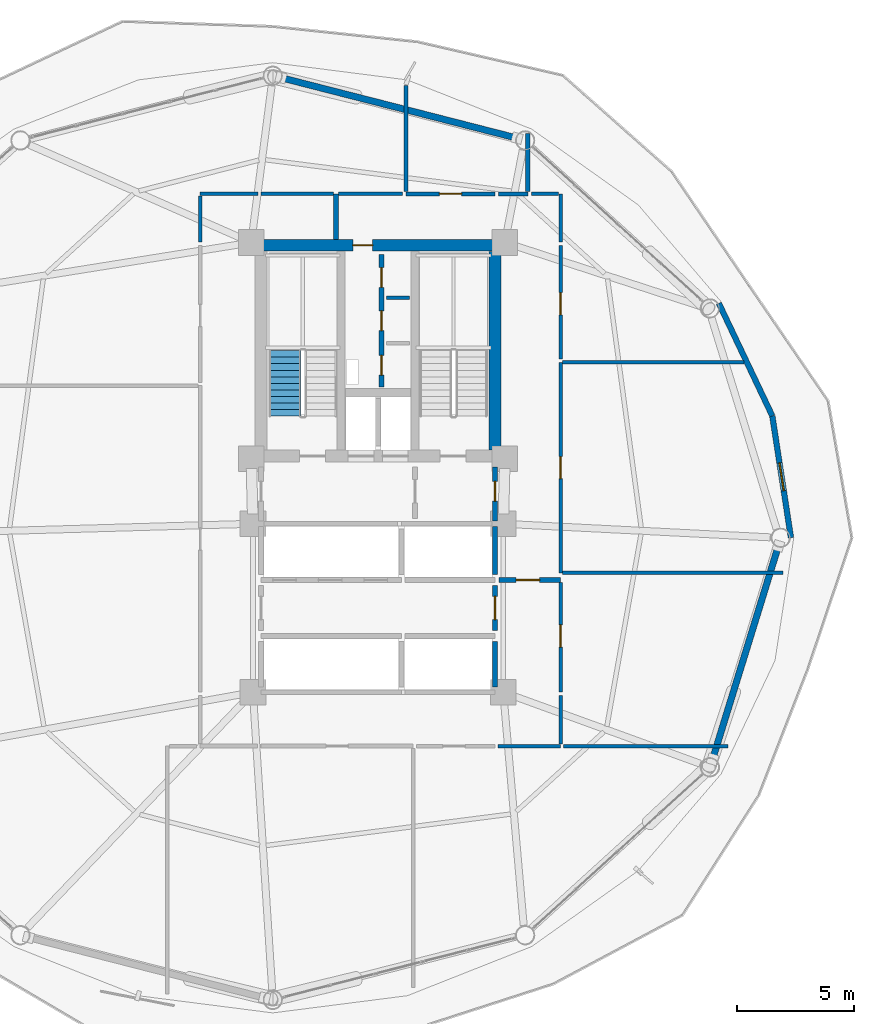
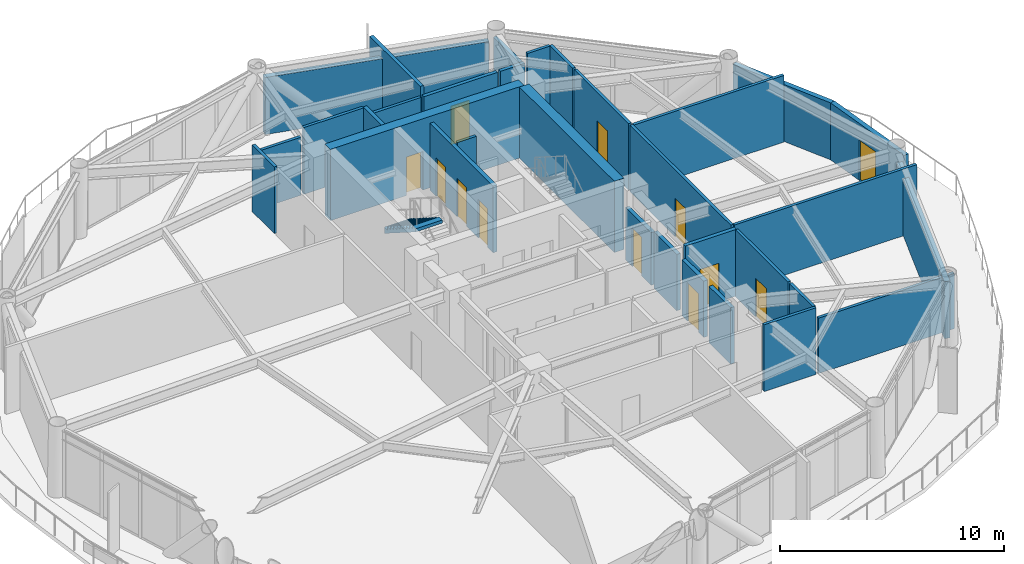
# One storey, part 22 of 26: 32 walls, 12 doors, 1 stair flight, 12 openings, 1 element without a shape of its own.
"""IFC4 building model written with IfcOpenShell, lengths in metres."""

from ifc_helpers import new_model, si_unit, direction, frame, frame_2d, origin, place, context, subcontext, project, spatial, polyline, rectangle, outline, extrude, material, layer, layer_set, type_object, element, fill, aggregate, save


model = new_model("IFC4")

# Units and contexts
model_context = context("Model", 3, precision=1e-05, world=origin(), true_north=direction((0.0, 1.0)))
body_context = subcontext(model_context, "Body", "Model", "MODEL_VIEW")
ifc_project = project(units=[si_unit("LENGTHUNIT", "METRE"), si_unit("AREAUNIT", "SQUARE_METRE"), si_unit("VOLUMEUNIT", "CUBIC_METRE"), si_unit("PLANEANGLEUNIT", "RADIAN"), si_unit("MASSUNIT", "GRAM", prefix="KILO")], contexts=[model_context])

# Site, building, storey
site_placement = place(None, origin())
site = spatial("IfcSite", under=ifc_project, at=site_placement, CompositionType="ELEMENT")
building_placement = place(site_placement, origin())
building = spatial("IfcBuilding", under=site, at=building_placement, Name="Varnakorn Sky Granary", CompositionType="ELEMENT")
storey_placement = place(building_placement, frame((0.0, 0.0, 95.39990234375)))
storey = spatial("IfcBuildingStorey", under=building, at=storey_placement, Name="L23", CompositionType="ELEMENT", Elevation=95.39990234375)

# Wall, opening, door
ifc_material_1 = material(Name="Concrete C60/75", Category="concrete")
ifc_layer_1 = layer(ifc_material_1, 0.5, Name="Concrete C60/75")
ifc_layer_set_1 = layer_set([ifc_layer_1], Name="Concrete C60/75")
wall_type_1 = type_object("IfcWallType", Name="WT-CW-SHEAR-500", PredefinedType="SHEAR", material=ifc_layer_set_1)
wall_1_placement = place(storey_placement, frame((-2.0, 12.5, 0.0), z_axis=(0.0, 0.0, 1.0), x_axis=(1.0, 0.0, 0.0)))
wall_1 = element("IfcWall", 1, at=wall_1_placement, inside=storey, type_object=wall_type_1, Name="Core North Shear Wall L23", PredefinedType="SHEAR", context=body_context, shape_type="SweptSolid", body=[
    extrude(rectangle(XDim=10.0, YDim=0.5, at=frame_2d((5.0, 0.0))), origin(), (0.0, 0.0, 1.0), 3.89208984375),
])
opening_1_placement = place(wall_1_placement, frame((3.919921875, 0.0, 0.0)))
opening_1 = element("IfcOpeningElement", 2, at=opening_1_placement, cuts=wall_1, Name="Opening FD-60N", PredefinedType="OPENING", context=body_context, shape_type="SweptSolid", body=[
    extrude(rectangle(XDim=0.85009765625, YDim=2.10009765625, at=frame_2d((0.425048828125, 1.050048828125))), frame((0.0, 0.260009765625, 0.0), z_axis=(0.0, -1.0, 0.0), x_axis=(1.0, 0.0, 0.0)), (0.0, 0.0, 1.0), 0.52001953125),
])
ifc_material_2 = material(Name="Acoustic Timber Fire Leaf", Category="wood")
door_type_1 = type_object("IfcDoorType", Name="DR-FD60-850", OperationType="NOTDEFINED", PredefinedType="DOOR", material=ifc_material_2)
door_1_placement = place(opening_1_placement, origin())
door_1 = element("IfcDoor", 3, at=door_1_placement, inside=storey, type_object=door_type_1, Name="Core North Service Door L23", OperationType="SINGLE_SWING_LEFT", OverallHeight=2.10009765625, OverallWidth=0.85009765625, PredefinedType="DOOR", context=body_context, shape_type="SweptSolid", body=[
    extrude(rectangle(XDim=0.85009765625, YDim=2.10009765625, at=frame_2d((0.425048828125, 1.050048828125))), frame((0.0, 0.02490234375, 0.0), z_axis=(0.0, -1.0, 0.0), x_axis=(1.0, 0.0, 0.0)), (0.0, 0.0, 1.0), 0.050048828125),
])
fill(opening_1, door_1)

# Wall
wall_2_placement = place(storey_placement, frame((8.0, 3.760009765625, 0.0), z_axis=(0.0, 0.0, 1.0), x_axis=(0.0, 1.0, 0.0)))
element("IfcWall", 4, at=wall_2_placement, inside=storey, type_object=wall_type_1, Name="Core East Shear Wall L23", PredefinedType="SHEAR", context=body_context, shape_type="SweptSolid", body=[
    extrude(rectangle(XDim=8.47998046875, YDim=0.5, at=frame_2d((4.239990234375, 0.0))), origin(), (0.0, 0.0, 1.0), 3.89208984375),
])

# Wall, opening, door
ifc_material_3 = material(Name="Precast concrete C40/50", Category="concrete")
ifc_layer_2 = layer(ifc_material_3, 0.239990234375, Name="Precast concrete C40/50")
ifc_layer_set_2 = layer_set([ifc_layer_2], Name="Precast concrete C40/50")
wall_type_2 = type_object("IfcWallType", Name="WT-EW-BAL-260", PredefinedType="SOLIDWALL", material=ifc_layer_set_2)
wall_3_placement = place(storey_placement, frame((19.848876953125, 5.212646484375, 0.0), z_axis=(0.0, 0.0, 1.0), x_axis=(0.151343961169, -0.988481160882, 0.0)))
wall_3 = element("IfcWall", 5, at=wall_3_placement, inside=storey, type_object=wall_type_2, Name="Balcony Threshold Facade Wall L23-B01A", PredefinedType="SOLIDWALL", context=body_context, shape_type="SweptSolid", body=[
    extrude(rectangle(XDim=5.2734375, YDim=0.239990234375, at=frame_2d((2.63671875, 0.0))), origin(), (0.0, 0.0, 1.0), 3.110107421875),
])
opening_2_placement = place(wall_3_placement, frame((2.037109375, 0.0, 0.0)))
opening_2 = element("IfcOpeningElement", 6, at=opening_2_placement, cuts=wall_3, Name="Opening BD-01", PredefinedType="OPENING", context=body_context, shape_type="SweptSolid", body=[
    extrude(rectangle(XDim=1.199951171875, YDim=2.199951171875, at=frame_2d((0.60009765625, 1.10009765625))), frame((0.0, 0.1298828125, 0.0), z_axis=(0.0, -1.0, 0.0), x_axis=(1.0, 0.0, 0.0)), (0.0, 0.0, 1.0), 0.260009765625),
])
ifc_material_4 = material(Name="Anodised Bronze Aluminium Alloy 6063-T6", Category="aluminium")
door_type_2 = type_object("IfcDoorType", Name="DR-BAL-1200", OperationType="NOTDEFINED", PredefinedType="DOOR", material=ifc_material_4)
door_2_placement = place(opening_2_placement, origin())
door_2 = element("IfcDoor", 7, at=door_2_placement, inside=storey, type_object=door_type_2, Name="Sky-Farm Balcony Access Door L23", OperationType="SINGLE_SWING_LEFT", OverallHeight=2.199951171875, OverallWidth=1.199951171875, PredefinedType="DOOR", context=body_context, shape_type="SweptSolid", body=[
    extrude(rectangle(XDim=1.199951171875, YDim=2.199951171875, at=frame_2d((0.60009765625, 1.10009765625))), frame((0.0, 0.02490234375, 0.0), z_axis=(0.0, -1.0, 0.0), x_axis=(1.0, 0.0, 0.0)), (0.0, 0.0, 1.0), 0.050048828125),
])
fill(opening_2, door_2)

# Walls
wall_4_placement = place(storey_placement, frame((17.56298828125, 10.02490234375, 0.0), z_axis=(0.0, 0.0, 1.0), x_axis=(0.429067096722, -0.903272620259, 0.0)))
element("IfcWall", 8, at=wall_4_placement, inside=storey, type_object=wall_type_2, Name="Balcony Return Facade Wall L23-B01B", PredefinedType="SOLIDWALL", context=body_context, shape_type="SweptSolid", body=[
    extrude(rectangle(XDim=5.32763671875, YDim=0.239990234375, at=frame_2d((2.663818359375, 0.0))), origin(), (0.0, 0.0, 1.0), 3.110107421875),
])
ifc_layer_3 = layer(ifc_material_3, 0.280029296875, Name="Precast concrete C40/50")
ifc_layer_set_3 = layer_set([ifc_layer_3], Name="Precast concrete C40/50")
wall_type_3 = type_object("IfcWallType", Name="WT-EW-CRN-280", PredefinedType="SOLIDWALL", material=ifc_layer_set_3)
wall_5_placement = place(storey_placement, frame((-1.14990234375, 19.665283203125, 0.0), z_axis=(0.0, 0.0, 1.0), x_axis=(0.96873684182, -0.24809057076, 0.0)))
element("IfcWall", 9, at=wall_5_placement, inside=storey, type_object=wall_type_3, Name="Agritech Insulated Precast Facade Wall L23-P03", PredefinedType="SOLIDWALL", context=body_context, shape_type="SweptSolid", body=[
    extrude(rectangle(XDim=10.41650390625, YDim=0.280029296875, at=frame_2d((5.208251953125, 0.0))), origin(), (0.0, 0.0, 1.0), 3.110107421875),
])
wall_6_placement = place(storey_placement, frame((20.1103515625, -0.345458984375, 0.0), z_axis=(0.0, 0.0, 1.0), x_axis=(-0.294788669412, -0.955562473304, 0.0)))
element("IfcWall", 10, at=wall_6_placement, inside=storey, type_object=wall_type_3, Name="Agritech Insulated Precast Facade Wall L23-P12", PredefinedType="SOLIDWALL", context=body_context, shape_type="SweptSolid", body=[
    extrude(rectangle(XDim=9.543212890625, YDim=0.280029296875, at=frame_2d((4.771484375, 0.0))), origin(), (0.0, 0.0, 1.0), 3.110107421875),
])

# Wall, openings, doors
ifc_material_5 = material(Name="Autoclaved Aerated Concrete Blockwork", Category="masonry")
ifc_layer_4 = layer(ifc_material_5, 0.199951171875, Name="Autoclaved Aerated Concrete Blockwork")
ifc_layer_set_4 = layer_set([ifc_layer_4], Name="Autoclaved Aerated Concrete Blockwork")
wall_type_4 = type_object("IfcWallType", Name="WT-FIRE-200", PredefinedType="MOVABLE", material=ifc_layer_set_4)
wall_7_placement = place(storey_placement, frame((3.14990234375, 6.449951171875, 0.0), z_axis=(0.0, 0.0, 1.0), x_axis=(0.0, 1.0, 0.0)))
wall_7 = element("IfcWall", 11, at=wall_7_placement, inside=storey, type_object=wall_type_4, Name="Interior Partition Wall L23-015", PredefinedType="MOVABLE", context=body_context, shape_type="SweptSolid", body=[
    extrude(rectangle(XDim=5.650146484375, YDim=0.199951171875, at=frame_2d((2.8251953125, 0.0))), origin(), (0.0, 0.0, 1.0), 3.64013671875),
])
opening_3_placement = place(wall_7_placement, frame((0.5, 0.0, 0.0)))
opening_3 = element("IfcOpeningElement", 12, at=opening_3_placement, cuts=wall_7, Name="Opening FD-60N", PredefinedType="OPENING", context=body_context, shape_type="SweptSolid", body=[
    extrude(rectangle(XDim=0.85009765625, YDim=2.10009765625, at=frame_2d((0.425048828125, 1.050048828125))), frame((0.0, 0.10986328125, 0.0), z_axis=(0.0, -1.0, 0.0), x_axis=(1.0, 0.0, 0.0)), (0.0, 0.0, 1.0), 0.219970703125),
])
opening_4_placement = place(wall_7_placement, frame((2.39990234375, 0.0, 0.0)))
opening_4 = element("IfcOpeningElement", 13, at=opening_4_placement, cuts=wall_7, Name="Opening FD-60N", PredefinedType="OPENING", context=body_context, shape_type="SweptSolid", body=[
    extrude(rectangle(XDim=0.85009765625, YDim=2.10009765625, at=frame_2d((0.425048828125, 1.050048828125))), frame((0.0, 0.10986328125, 0.0), z_axis=(0.0, -1.0, 0.0), x_axis=(1.0, 0.0, 0.0)), (0.0, 0.0, 1.0), 0.219970703125),
])
opening_5_placement = place(wall_7_placement, frame((4.25, 0.0, 0.0)))
opening_5 = element("IfcOpeningElement", 14, at=opening_5_placement, cuts=wall_7, Name="Opening FD-60N", PredefinedType="OPENING", context=body_context, shape_type="SweptSolid", body=[
    extrude(rectangle(XDim=0.85009765625, YDim=2.10009765625, at=frame_2d((0.425048828125, 1.050048828125))), frame((0.0, 0.10986328125, 0.0), z_axis=(0.0, -1.0, 0.0), x_axis=(1.0, 0.0, 0.0)), (0.0, 0.0, 1.0), 0.219970703125),
])
door_3_placement = place(opening_3_placement, origin())
door_3 = element("IfcDoor", 15, at=door_3_placement, inside=storey, type_object=door_type_1, Name="Interior Door L23-015-1", OperationType="SINGLE_SWING_RIGHT", OverallHeight=2.10009765625, OverallWidth=0.85009765625, PredefinedType="DOOR", context=body_context, shape_type="SweptSolid", body=[
    extrude(rectangle(XDim=0.85009765625, YDim=2.10009765625, at=frame_2d((0.425048828125, 1.050048828125))), frame((0.0, 0.02490234375, 0.0), z_axis=(0.0, -1.0, 0.0), x_axis=(1.0, 0.0, 0.0)), (0.0, 0.0, 1.0), 0.050048828125),
])
fill(opening_3, door_3)
door_4_placement = place(opening_4_placement, origin())
door_4 = element("IfcDoor", 16, at=door_4_placement, inside=storey, type_object=door_type_1, Name="Interior Door L23-015-2", OperationType="SINGLE_SWING_LEFT", OverallHeight=2.10009765625, OverallWidth=0.85009765625, PredefinedType="DOOR", context=body_context, shape_type="SweptSolid", body=[
    extrude(rectangle(XDim=0.85009765625, YDim=2.10009765625, at=frame_2d((0.425048828125, 1.050048828125))), frame((0.0, 0.02490234375, 0.0), z_axis=(0.0, -1.0, 0.0), x_axis=(1.0, 0.0, 0.0)), (0.0, 0.0, 1.0), 0.050048828125),
])
fill(opening_4, door_4)
door_5_placement = place(opening_5_placement, origin())
door_5 = element("IfcDoor", 17, at=door_5_placement, inside=storey, type_object=door_type_1, Name="Interior Door L23-015-3", OperationType="SINGLE_SWING_RIGHT", OverallHeight=2.10009765625, OverallWidth=0.85009765625, PredefinedType="DOOR", context=body_context, shape_type="SweptSolid", body=[
    extrude(rectangle(XDim=0.85009765625, YDim=2.10009765625, at=frame_2d((0.425048828125, 1.050048828125))), frame((0.0, 0.02490234375, 0.0), z_axis=(0.0, -1.0, 0.0), x_axis=(1.0, 0.0, 0.0)), (0.0, 0.0, 1.0), 0.050048828125),
])
fill(opening_5, door_5)

# Wall, opening, door
wall_8_placement = place(storey_placement, frame((8.0, 0.719970703125, 0.0), z_axis=(0.0, 0.0, 1.0), x_axis=(0.0, 1.0, 0.0)))
wall_8 = element("IfcWall", 18, at=wall_8_placement, inside=storey, type_object=wall_type_4, Name="Interior Partition Wall L23-018", PredefinedType="MOVABLE", context=body_context, shape_type="SweptSolid", body=[
    extrude(rectangle(XDim=2.300048828125, YDim=0.199951171875, at=frame_2d((1.14990234375, 0.0))), origin(), (0.0, 0.0, 1.0), 2.8720703125),
])
opening_6_placement = place(wall_8_placement, frame((0.844970703125, 0.0, 0.0)))
opening_6 = element("IfcOpeningElement", 19, at=opening_6_placement, cuts=wall_8, Name="Opening FD-60N", PredefinedType="OPENING", context=body_context, shape_type="SweptSolid", body=[
    extrude(rectangle(XDim=0.85009765625, YDim=2.10009765625, at=frame_2d((0.425048828125, 1.050048828125))), frame((0.0, 0.10986328125, 0.0), z_axis=(0.0, -1.0, 0.0), x_axis=(1.0, 0.0, 0.0)), (0.0, 0.0, 1.0), 0.219970703125),
])
door_6_placement = place(opening_6_placement, origin())
door_6 = element("IfcDoor", 20, at=door_6_placement, inside=storey, type_object=door_type_1, Name="Interior Door L23-018-1", OperationType="SINGLE_SWING_LEFT", OverallHeight=2.10009765625, OverallWidth=0.85009765625, PredefinedType="DOOR", context=body_context, shape_type="SweptSolid", body=[
    extrude(rectangle(XDim=0.85009765625, YDim=2.10009765625, at=frame_2d((0.425048828125, 1.050048828125))), frame((0.0, 0.02490234375, 0.0), z_axis=(0.0, -1.0, 0.0), x_axis=(1.0, 0.0, 0.0)), (0.0, 0.0, 1.0), 0.050048828125),
])
fill(opening_6, door_6)

wall_9_placement = place(storey_placement, frame((8.0, -3.969970703125, 0.0), z_axis=(0.0, 0.0, 1.0), x_axis=(0.0, 1.0, 0.0)))
wall_9 = element("IfcWall", 21, at=wall_9_placement, inside=storey, type_object=wall_type_4, Name="Interior Partition Wall L23-020", PredefinedType="MOVABLE", context=body_context, shape_type="SweptSolid", body=[
    extrude(rectangle(XDim=1.93994140625, YDim=0.199951171875, at=frame_2d((0.969970703125, 0.0))), origin(), (0.0, 0.0, 1.0), 3.072021484375),
])
opening_7_placement = place(wall_9_placement, frame((0.469970703125, 0.0, 0.0)))
opening_7 = element("IfcOpeningElement", 22, at=opening_7_placement, cuts=wall_9, Name="Opening FD-60", PredefinedType="OPENING", context=body_context, shape_type="SweptSolid", body=[
    extrude(rectangle(XDim=1.0, YDim=2.10009765625, at=frame_2d((0.5, 1.050048828125))), frame((0.0, 0.10986328125, 0.0), z_axis=(0.0, -1.0, 0.0), x_axis=(1.0, 0.0, 0.0)), (0.0, 0.0, 1.0), 0.219970703125),
])
door_type_3 = type_object("IfcDoorType", Name="DR-FD60-1000", OperationType="NOTDEFINED", PredefinedType="DOOR", material=ifc_material_2)
door_7_placement = place(opening_7_placement, origin())
door_7 = element("IfcDoor", 23, at=door_7_placement, inside=storey, type_object=door_type_3, Name="Interior Door L23-020-1", OperationType="SINGLE_SWING_LEFT", OverallHeight=2.10009765625, OverallWidth=1.0, PredefinedType="DOOR", context=body_context, shape_type="SweptSolid", body=[
    extrude(rectangle(XDim=1.0, YDim=2.10009765625, at=frame_2d((0.5, 1.050048828125))), frame((0.0, 0.02490234375, 0.0), z_axis=(0.0, -1.0, 0.0), x_axis=(1.0, 0.0, 0.0)), (0.0, 0.0, 1.0), 0.050048828125),
])
fill(opening_7, door_7)

wall_10_placement = place(storey_placement, frame((8.159912109375, -1.800048828125, 0.0), z_axis=(0.0, 0.0, 1.0), x_axis=(1.0, 0.0, 0.0)))
wall_10 = element("IfcWall", 24, at=wall_10_placement, inside=storey, type_object=wall_type_4, Name="Interior Partition Wall L23-021", PredefinedType="MOVABLE", context=body_context, shape_type="SweptSolid", body=[
    extrude(rectangle(XDim=2.64013671875, YDim=0.199951171875, at=frame_2d((1.320068359375, 0.0))), origin(), (0.0, 0.0, 1.0), 3.64013671875),
])
opening_8_placement = place(wall_10_placement, frame((0.739990234375, 0.0, 0.0)))
opening_8 = element("IfcOpeningElement", 25, at=opening_8_placement, cuts=wall_10, Name="Opening FD-60", PredefinedType="OPENING", context=body_context, shape_type="SweptSolid", body=[
    extrude(rectangle(XDim=1.0, YDim=2.10009765625, at=frame_2d((0.5, 1.050048828125))), frame((0.0, 0.10986328125, 0.0), z_axis=(0.0, -1.0, 0.0), x_axis=(1.0, 0.0, 0.0)), (0.0, 0.0, 1.0), 0.219970703125),
])
door_8_placement = place(opening_8_placement, origin())
door_8 = element("IfcDoor", 26, at=door_8_placement, inside=storey, type_object=door_type_3, Name="Interior Door L23-021-1", OperationType="SINGLE_SWING_RIGHT", OverallHeight=2.10009765625, OverallWidth=1.0, PredefinedType="DOOR", context=body_context, shape_type="SweptSolid", body=[
    extrude(rectangle(XDim=1.0, YDim=2.10009765625, at=frame_2d((0.5, 1.050048828125))), frame((0.0, 0.02490234375, 0.0), z_axis=(0.0, -1.0, 0.0), x_axis=(1.0, 0.0, 0.0)), (0.0, 0.0, 1.0), 0.050048828125),
])
fill(opening_8, door_8)

# Wall
wall_11_placement = place(storey_placement, frame((1.199951171875, 14.699951171875, 0.0), z_axis=(0.0, 0.0, 1.0), x_axis=(0.0, -1.0, 0.0)))
element("IfcWall", 27, at=wall_11_placement, inside=storey, type_object=wall_type_4, Name="Interior Partition Wall L23-033", PredefinedType="MOVABLE", context=body_context, shape_type="SweptSolid", body=[
    extrude(rectangle(XDim=1.93994140625, YDim=0.199951171875, at=frame_2d((0.969970703125, 0.0))), origin(), (0.0, 0.0, 1.0), 3.64013671875),
])

# Wall, opening, door
ifc_material_6 = material(Name="Gypsum Plasterboard on Steel Stud", Category="steel")
ifc_layer_5 = layer(ifc_material_6, 0.14990234375, Name="Gypsum Plasterboard on Steel Stud")
ifc_layer_set_5 = layer_set([ifc_layer_5], Name="Gypsum Plasterboard on Steel Stud")
wall_type_5 = type_object("IfcWallType", Name="WT-PART-150", PredefinedType="PARTITIONING", material=ifc_layer_set_5)
wall_12_placement = place(storey_placement, frame((10.800048828125, -6.60009765625, 0.0), z_axis=(0.0, 0.0, 1.0), x_axis=(0.0, 1.0, 0.0)))
wall_12 = element("IfcWall", 28, at=wall_12_placement, inside=storey, type_object=wall_type_5, Name="Interior Partition Wall L23-027", PredefinedType="PARTITIONING", context=body_context, shape_type="SweptSolid", body=[
    extrude(rectangle(XDim=4.690185546875, YDim=0.14990234375, at=frame_2d((2.34521484375, 0.0))), origin(), (0.0, 0.0, 1.0), 3.64013671875),
])
opening_9_placement = place(wall_12_placement, frame((1.925048828125, 0.0, 0.0)))
opening_9 = element("IfcOpeningElement", 29, at=opening_9_placement, cuts=wall_12, Name="Opening ID-95", PredefinedType="OPENING", context=body_context, shape_type="SweptSolid", body=[
    extrude(rectangle(XDim=0.949951171875, YDim=2.10009765625, at=frame_2d((0.47509765625, 1.050048828125))), frame((0.0, 0.0849609375, 0.0), z_axis=(0.0, -1.0, 0.0), x_axis=(1.0, 0.0, 0.0)), (0.0, 0.0, 1.0), 0.169921875),
])
ifc_material_7 = material(Name="Solid-Core Teak Veneer Leaf", Category="timber")
door_type_4 = type_object("IfcDoorType", Name="DR-INT-950", OperationType="NOTDEFINED", PredefinedType="DOOR", material=ifc_material_7)
door_9_placement = place(opening_9_placement, origin())
door_9 = element("IfcDoor", 30, at=door_9_placement, inside=storey, type_object=door_type_4, Name="Interior Door L23-027-1", OperationType="SINGLE_SWING_RIGHT", OverallHeight=2.10009765625, OverallWidth=0.949951171875, PredefinedType="DOOR", context=body_context, shape_type="SweptSolid", body=[
    extrude(rectangle(XDim=0.949951171875, YDim=2.10009765625, at=frame_2d((0.47509765625, 1.050048828125))), frame((0.0, 0.02490234375, 0.0), z_axis=(0.0, -1.0, 0.0), x_axis=(1.0, 0.0, 0.0)), (0.0, 0.0, 1.0), 0.050048828125),
])
fill(opening_9, door_9)

wall_13_placement = place(storey_placement, frame((10.800048828125, -1.5, 0.0), z_axis=(0.0, 0.0, 1.0), x_axis=(0.0, 1.0, 0.0)))
wall_13 = element("IfcWall", 31, at=wall_13_placement, inside=storey, type_object=wall_type_5, Name="Interior Partition Wall L23-028", PredefinedType="PARTITIONING", context=body_context, shape_type="SweptSolid", body=[
    extrude(rectangle(XDim=9.0, YDim=0.14990234375, at=frame_2d((4.5, 0.0))), origin(), (0.0, 0.0, 1.0), 3.64013671875),
])
opening_10_placement = place(wall_13_placement, frame((4.02490234375, 0.0, 0.0)))
opening_10 = element("IfcOpeningElement", 32, at=opening_10_placement, cuts=wall_13, Name="Opening ID-95", PredefinedType="OPENING", context=body_context, shape_type="SweptSolid", body=[
    extrude(rectangle(XDim=0.949951171875, YDim=2.10009765625, at=frame_2d((0.47509765625, 1.050048828125))), frame((0.0, 0.0849609375, 0.0), z_axis=(0.0, -1.0, 0.0), x_axis=(1.0, 0.0, 0.0)), (0.0, 0.0, 1.0), 0.169921875),
])
door_10_placement = place(opening_10_placement, origin())
door_10 = element("IfcDoor", 33, at=door_10_placement, inside=storey, type_object=door_type_4, Name="Interior Door L23-028-1", OperationType="SINGLE_SWING_LEFT", OverallHeight=2.10009765625, OverallWidth=0.949951171875, PredefinedType="DOOR", context=body_context, shape_type="SweptSolid", body=[
    extrude(rectangle(XDim=0.949951171875, YDim=2.10009765625, at=frame_2d((0.47509765625, 1.050048828125))), frame((0.0, 0.02490234375, 0.0), z_axis=(0.0, -1.0, 0.0), x_axis=(1.0, 0.0, 0.0)), (0.0, 0.0, 1.0), 0.050048828125),
])
fill(opening_10, door_10)

wall_14_placement = place(storey_placement, frame((10.800048828125, 7.635009765625, 0.0), z_axis=(0.0, 0.0, 1.0), x_axis=(0.0, 1.0, 0.0)))
wall_14 = element("IfcWall", 34, at=wall_14_placement, inside=storey, type_object=wall_type_5, Name="Interior Partition Wall L23-029", PredefinedType="PARTITIONING", context=body_context, shape_type="SweptSolid", body=[
    extrude(rectangle(XDim=4.864990234375, YDim=0.14990234375, at=frame_2d((2.4326171875, 0.0))), origin(), (0.0, 0.0, 1.0), 3.64013671875),
])
opening_11_placement = place(wall_14_placement, frame((1.889892578125, 0.0, 0.0)))
opening_11 = element("IfcOpeningElement", 35, at=opening_11_placement, cuts=wall_14, Name="Opening ID-95", PredefinedType="OPENING", context=body_context, shape_type="SweptSolid", body=[
    extrude(rectangle(XDim=0.949951171875, YDim=2.10009765625, at=frame_2d((0.47509765625, 1.050048828125))), frame((0.0, 0.0849609375, 0.0), z_axis=(0.0, -1.0, 0.0), x_axis=(1.0, 0.0, 0.0)), (0.0, 0.0, 1.0), 0.169921875),
])
door_11_placement = place(opening_11_placement, origin())
door_11 = element("IfcDoor", 36, at=door_11_placement, inside=storey, type_object=door_type_4, Name="Interior Door L23-029-1", OperationType="SINGLE_SWING_RIGHT", OverallHeight=2.10009765625, OverallWidth=0.949951171875, PredefinedType="DOOR", context=body_context, shape_type="SweptSolid", body=[
    extrude(rectangle(XDim=0.949951171875, YDim=2.10009765625, at=frame_2d((0.47509765625, 1.050048828125))), frame((0.0, 0.02490234375, 0.0), z_axis=(0.0, -1.0, 0.0), x_axis=(1.0, 0.0, 0.0)), (0.0, 0.0, 1.0), 0.050048828125),
])
fill(opening_11, door_11)

# Walls
wall_15_placement = place(storey_placement, frame((3.3701171875, 10.260009765625, 0.0), z_axis=(0.0, 0.0, 1.0), x_axis=(1.0, 0.0, 0.0)))
element("IfcWall", 37, at=wall_15_placement, inside=storey, type_object=wall_type_5, Name="Interior Partition Wall L23-031", PredefinedType="PARTITIONING", context=body_context, shape_type="SweptSolid", body=[
    extrude(rectangle(XDim=0.97998046875, YDim=0.14990234375, at=frame_2d((0.489990234375, 0.0))), origin(), (0.0, 0.0, 1.0), 3.64013671875),
])
wall_16_placement = place(storey_placement, frame((8.135009765625, -8.89990234375, 0.0), z_axis=(0.0, 0.0, 1.0), x_axis=(1.0, 0.0, 0.0)))
element("IfcWall", 38, at=wall_16_placement, inside=storey, type_object=wall_type_5, Name="Interior Partition Wall L23-039", PredefinedType="PARTITIONING", context=body_context, shape_type="SweptSolid", body=[
    extrude(rectangle(XDim=2.6650390625, YDim=0.14990234375, at=frame_2d((1.33251953125, 0.0))), origin(), (0.0, 0.0, 1.0), 3.64013671875),
])
wall_17_placement = place(storey_placement, frame((10.93505859375, -8.89990234375, 0.0), z_axis=(0.0, 0.0, 1.0), x_axis=(1.0, 0.0, 0.0)))
element("IfcWall", 39, at=wall_17_placement, inside=storey, type_object=wall_type_5, Name="Interior Partition Wall L23-040", PredefinedType="PARTITIONING", context=body_context, shape_type="SweptSolid", body=[
    extrude(rectangle(XDim=7.030029296875, YDim=0.14990234375, at=frame_2d((3.51513671875, 0.0))), origin(), (0.0, 0.0, 1.0), 3.022216796875),
])
wall_18_placement = place(storey_placement, frame((1.090087890625, 14.699951171875, 0.0), z_axis=(0.0, 0.0, 1.0), x_axis=(-1.0, 0.0, 0.0)))
element("IfcWall", 40, at=wall_18_placement, inside=storey, type_object=wall_type_5, Name="Interior Partition Wall L23-043", PredefinedType="PARTITIONING", context=body_context, shape_type="SweptSolid", body=[
    extrude(rectangle(XDim=3.090087890625, YDim=0.14990234375, at=frame_2d((1.544921875, 0.0))), origin(), (0.0, 0.0, 1.0), 3.64013671875),
])
wall_19_placement = place(storey_placement, frame((-2.135009765625, 14.699951171875, 0.0), z_axis=(0.0, 0.0, 1.0), x_axis=(-1.0, 0.0, 0.0)))
element("IfcWall", 41, at=wall_19_placement, inside=storey, type_object=wall_type_5, Name="Interior Partition Wall L23-044", PredefinedType="PARTITIONING", context=body_context, shape_type="SweptSolid", body=[
    extrude(rectangle(XDim=2.465087890625, YDim=0.14990234375, at=frame_2d((1.232421875, 0.0))), origin(), (0.0, 0.0, 1.0), 3.172119140625),
])
wall_20_placement = place(storey_placement, frame((-4.60009765625, 14.614990234375, 0.0), z_axis=(0.0, 0.0, 1.0), x_axis=(0.0, -1.0, 0.0)))
element("IfcWall", 42, at=wall_20_placement, inside=storey, type_object=wall_type_5, Name="Interior Partition Wall L23-045", PredefinedType="PARTITIONING", context=body_context, shape_type="SweptSolid", body=[
    extrude(rectangle(XDim=1.97998046875, YDim=0.14990234375, at=frame_2d((0.989990234375, 0.0))), origin(), (0.0, 0.0, 1.0), 3.64013671875),
])
wall_21_placement = place(storey_placement, frame((4.050048828125, 14.699951171875, 0.0), z_axis=(0.0, 0.0, 1.0), x_axis=(-1.0, 0.0, 0.0)))
element("IfcWall", 43, at=wall_21_placement, inside=storey, type_object=wall_type_5, Name="Interior Partition Wall L23-046", PredefinedType="PARTITIONING", context=body_context, shape_type="SweptSolid", body=[
    extrude(rectangle(XDim=2.739990234375, YDim=0.14990234375, at=frame_2d((1.3701171875, 0.0))), origin(), (0.0, 0.0, 1.0), 3.172119140625),
])
wall_22_placement = place(storey_placement, frame((10.800048828125, -8.81494140625, 0.0), z_axis=(0.0, 0.0, 1.0), x_axis=(0.0, 1.0, 0.0)))
element("IfcWall", 44, at=wall_22_placement, inside=storey, type_object=wall_type_5, Name="Interior Partition Wall L23-048", PredefinedType="PARTITIONING", context=body_context, shape_type="SweptSolid", body=[
    extrude(rectangle(XDim=2.079833984375, YDim=0.14990234375, at=frame_2d((1.0400390625, 0.0))), origin(), (0.0, 0.0, 1.0), 3.64013671875),
])
wall_23_placement = place(storey_placement, frame((10.885009765625, -1.5, 0.0), z_axis=(0.0, 0.0, 1.0), x_axis=(1.0, 0.0, 0.0)))
element("IfcWall", 45, at=wall_23_placement, inside=storey, type_object=wall_type_5, Name="Interior Partition Wall L23-049", PredefinedType="PARTITIONING", context=body_context, shape_type="SweptSolid", body=[
    extrude(rectangle(XDim=9.412109375, YDim=0.14990234375, at=frame_2d((4.7060546875, 0.0))), origin(), (0.0, 0.0, 1.0), 3.64013671875),
])
wall_24_placement = place(storey_placement, frame((10.885009765625, 7.5, 0.0), z_axis=(0.0, 0.0, 1.0), x_axis=(1.0, 0.0, 0.0)))
element("IfcWall", 46, at=wall_24_placement, inside=storey, type_object=wall_type_5, Name="Interior Partition Wall L23-050", PredefinedType="PARTITIONING", context=body_context, shape_type="SweptSolid", body=[
    extrude(rectangle(XDim=7.74609375, YDim=0.14990234375, at=frame_2d((3.873046875, 0.0))), origin(), (0.0, 0.0, 1.0), 3.64013671875),
])
wall_25_placement = place(storey_placement, frame((10.800048828125, 12.635009765625, 0.0), z_axis=(0.0, 0.0, 1.0), x_axis=(0.0, 1.0, 0.0)))
element("IfcWall", 47, at=wall_25_placement, inside=storey, type_object=wall_type_5, Name="Interior Partition Wall L23-051", PredefinedType="PARTITIONING", context=body_context, shape_type="SweptSolid", body=[
    extrude(rectangle(XDim=2.06494140625, YDim=0.14990234375, at=frame_2d((1.032470703125, 0.0))), origin(), (0.0, 0.0, 1.0), 3.64013671875),
])
wall_26_placement = place(storey_placement, frame((10.715087890625, 14.699951171875, 0.0), z_axis=(0.0, 0.0, 1.0), x_axis=(-1.0, 0.0, 0.0)))
element("IfcWall", 48, at=wall_26_placement, inside=storey, type_object=wall_type_5, Name="Interior Partition Wall L23-052", PredefinedType="PARTITIONING", context=body_context, shape_type="SweptSolid", body=[
    extrude(rectangle(XDim=1.1650390625, YDim=0.14990234375, at=frame_2d((0.58251953125, 0.0))), origin(), (0.0, 0.0, 1.0), 3.64013671875),
])

# Wall, opening, door
ifc_material_8 = material(Name="Moisture-Resistant Gypsum on Stud", Category="gypsum")
ifc_layer_6 = layer(ifc_material_8, 0.179931640625, Name="Moisture-Resistant Gypsum on Stud")
ifc_layer_set_6 = layer_set([ifc_layer_6], Name="Moisture-Resistant Gypsum on Stud")
wall_type_6 = type_object("IfcWallType", Name="WT-PLUMB-180", PredefinedType="PLUMBINGWALL", material=ifc_layer_set_6)
wall_27_placement = place(storey_placement, frame((8.0, 14.699951171875, 0.0), z_axis=(0.0, 0.0, 1.0), x_axis=(-1.0, 0.0, 0.0)))
wall_27 = element("IfcWall", 49, at=wall_27_placement, inside=storey, type_object=wall_type_6, Name="Interior Partition Wall L23-022", PredefinedType="PLUMBINGWALL", context=body_context, shape_type="SweptSolid", body=[
    extrude(rectangle(XDim=3.800048828125, YDim=0.179931640625, at=frame_2d((1.89990234375, 0.0))), origin(), (0.0, 0.0, 1.0), 3.172119140625),
])
opening_12_placement = place(wall_27_placement, frame((1.425048828125, 0.0, 0.0)))
opening_12 = element("IfcOpeningElement", 50, at=opening_12_placement, cuts=wall_27, Name="Opening ID-95", PredefinedType="OPENING", context=body_context, shape_type="SweptSolid", body=[
    extrude(rectangle(XDim=0.949951171875, YDim=2.10009765625, at=frame_2d((0.47509765625, 1.050048828125))), frame((0.0, 0.10009765625, 0.0), z_axis=(0.0, -1.0, 0.0), x_axis=(1.0, 0.0, 0.0)), (0.0, 0.0, 1.0), 0.199951171875),
])
door_12_placement = place(opening_12_placement, origin())
door_12 = element("IfcDoor", 51, at=door_12_placement, inside=storey, type_object=door_type_4, Name="Interior Door L23-022-1", OperationType="SINGLE_SWING_LEFT", OverallHeight=2.10009765625, OverallWidth=0.949951171875, PredefinedType="DOOR", context=body_context, shape_type="SweptSolid", body=[
    extrude(rectangle(XDim=0.949951171875, YDim=2.10009765625, at=frame_2d((0.47509765625, 1.050048828125))), frame((0.0, 0.02490234375, 0.0), z_axis=(0.0, -1.0, 0.0), x_axis=(1.0, 0.0, 0.0)), (0.0, 0.0, 1.0), 0.050048828125),
])
fill(opening_12, door_12)

# Walls
wall_28_placement = place(storey_placement, frame((9.39990234375, 14.699951171875, 0.0), z_axis=(0.0, 0.0, 1.0), x_axis=(-1.0, 0.0, 0.0)))
element("IfcWall", 52, at=wall_28_placement, inside=storey, type_object=wall_type_6, Name="Interior Partition Wall L23-034", PredefinedType="PLUMBINGWALL", context=body_context, shape_type="SweptSolid", body=[
    extrude(rectangle(XDim=1.25, YDim=0.179931640625, at=frame_2d((0.625, 0.0))), origin(), (0.0, 0.0, 1.0), 3.172119140625),
])
wall_29_placement = place(storey_placement, frame((4.199951171875, 19.333984375, 0.0), z_axis=(0.0, 0.0, 1.0), x_axis=(0.0, -1.0, 0.0)))
element("IfcWall", 53, at=wall_29_placement, inside=storey, type_object=wall_type_6, Name="Interior Partition Wall L23-047", PredefinedType="PLUMBINGWALL", context=body_context, shape_type="SweptSolid", body=[
    extrude(rectangle(XDim=4.533935546875, YDim=0.179931640625, at=frame_2d((2.26708984375, 0.0))), origin(), (0.0, 0.0, 1.0), 3.64013671875),
])
wall_30_placement = place(storey_placement, frame((9.39990234375, 14.800048828125, 0.0), z_axis=(0.0, 0.0, 1.0), x_axis=(0.0, 1.0, 0.0)))
element("IfcWall", 54, at=wall_30_placement, inside=storey, type_object=wall_type_6, Name="Interior Partition Wall L23-053", PredefinedType="PLUMBINGWALL", context=body_context, shape_type="SweptSolid", body=[
    extrude(rectangle(XDim=2.47802734375, YDim=0.179931640625, at=frame_2d((1.239013671875, 0.0))), origin(), (0.0, 0.0, 1.0), 3.022216796875),
])
ifc_layer_7 = layer(ifc_material_5, 0.199951171875, Name="Autoclaved Aerated Concrete Blockwork")
ifc_layer_set_7 = layer_set([ifc_layer_7], Name="Autoclaved Aerated Concrete Blockwork")
wall_type_7 = type_object("IfcWallType", Name="WT-SHAFT-200", PredefinedType="SOLIDWALL", material=ifc_layer_set_7)
wall_31_placement = place(storey_placement, frame((8.0, -1.570068359375, 0.0), z_axis=(0.0, 0.0, 1.0), x_axis=(0.0, 1.0, 0.0)))
element("IfcWall", 55, at=wall_31_placement, inside=storey, type_object=wall_type_7, Name="Interior Partition Wall L23-007", PredefinedType="SOLIDWALL", context=body_context, shape_type="SweptSolid", body=[
    extrude(rectangle(XDim=2.050048828125, YDim=0.199951171875, at=frame_2d((1.02490234375, 0.0))), origin(), (0.0, 0.0, 1.0), 3.072021484375),
])
wall_32_placement = place(storey_placement, frame((8.0, -6.3701171875, 0.0), z_axis=(0.0, 0.0, 1.0), x_axis=(0.0, 1.0, 0.0)))
element("IfcWall", 56, at=wall_32_placement, inside=storey, type_object=wall_type_7, Name="Interior Partition Wall L23-014", PredefinedType="SOLIDWALL", context=body_context, shape_type="SweptSolid", body=[
    extrude(rectangle(XDim=1.940185546875, YDim=0.199951171875, at=frame_2d((0.97021484375, 0.0))), origin(), (0.0, 0.0, 1.0), 3.072021484375),
])

# Stair, stair flight
ifc_material_9 = material(Name="Concrete C40/50", Category="concrete")
stair_type = type_object("IfcStairType", Name="ST-MAIN-ASSEMBLY", PredefinedType="HALF_TURN_STAIR", material=ifc_material_9)
stair_placement = place(storey_placement, origin())
stair = element("IfcStair", 57, at=stair_placement, inside=storey, type_object=stair_type, Name="L23 Protected Exit Stair ST-1", PredefinedType="HALF_TURN_STAIR")
stair_flight_type = type_object("IfcStairFlightType", Name="ST-MAIN-FLIGHT", PredefinedType="STRAIGHT", material=ifc_material_9)
stair_flight_placement = place(storey_placement, frame((-0.97998046875, 8.0, 1.9501953125), z_axis=(0.0, 0.0, 1.0), x_axis=(0.0, -1.0, 0.0)))
stair_flight = element("IfcStairFlight", 58, at=stair_flight_placement, type_object=stair_flight_type, Name="ST-1 flight 2", NumberOfRisers=11, NumberOfTreads=10, PredefinedType="STRAIGHT", RiserHeight=0.177272727, TreadLength=0.28, context=body_context, shape_type="SweptSolid", body=[
    extrude(outline(polyline([(0.0, -0.14990234375), (0.0, 0.0), (0.0, 0.17724609375), (0.280029296875, 0.17724609375), (0.280029296875, 0.3544921875), (0.56005859375, 0.3544921875), (0.56005859375, 0.53173828125), (0.840087890625, 0.53173828125), (0.840087890625, 0.708984375), (1.1201171875, 0.708984375), (1.1201171875, 0.886474609375), (1.39990234375, 0.886474609375), (1.39990234375, 1.063720703125), (1.679931640625, 1.063720703125), (1.679931640625, 1.240966796875), (1.9599609375, 1.240966796875), (1.9599609375, 1.418212890625), (2.239990234375, 1.418212890625), (2.239990234375, 1.595458984375), (2.52001953125, 1.595458984375), (2.52001953125, 1.772705078125), (2.800048828125, 1.772705078125), (2.800048828125, 1.949951171875), (2.800048828125, 1.59521484375), (0.050048828125, -0.14990234375), (0.0, -0.14990234375)])), frame((0.0, 0.68994140625, 0.0), z_axis=(0.0, -1.0, 0.0), x_axis=(1.0, 0.0, 0.0)), (0.0, 0.0, 1.0), 1.3798828125),
])
aggregate(stair, [stair_flight])

save(model, "model.ifc")
